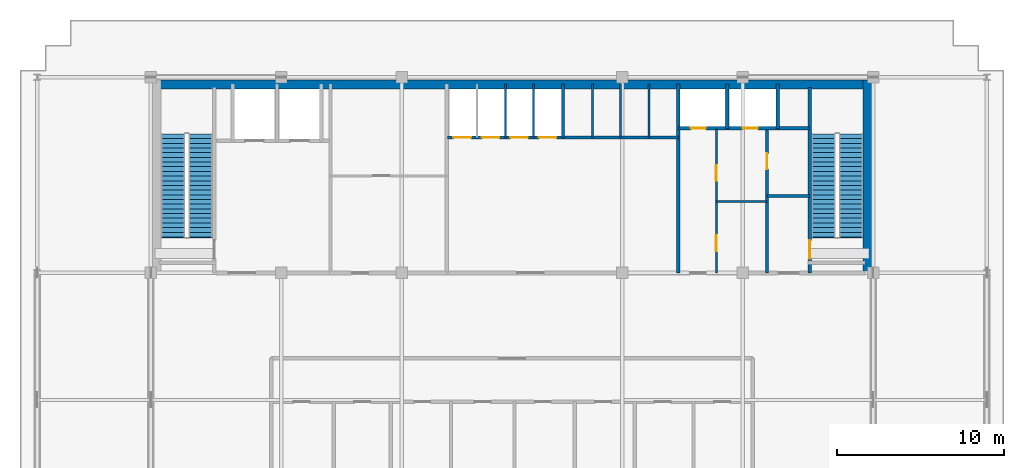
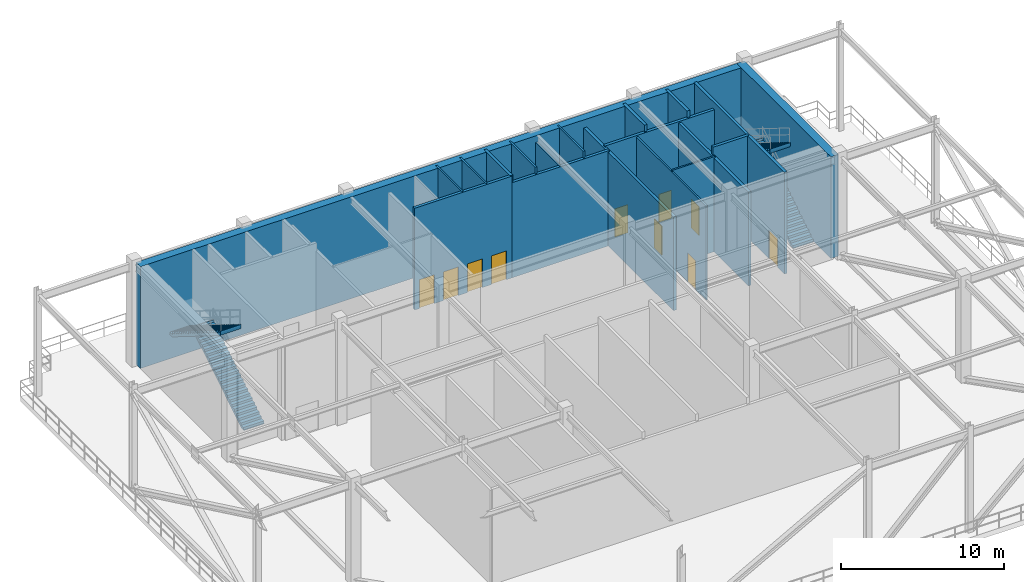
# One storey, part 10 of 14: 19 walls, 10 doors, 4 stair flights, 10 openings, 2 elements without a shape of their own.
"""IFC4 building model written with IfcOpenShell, lengths in metres."""

from ifc_helpers import new_model, si_unit, direction, frame, frame_2d, origin, place, context, subcontext, project, spatial, polyline, rectangle, outline, extrude, source, transform, mapped, material, layer, layer_set, type_object, element, fill, aggregate, save


model = new_model("IFC4")

# Units and contexts
model_context = context("Model", 3, precision=1e-05, world=origin(), true_north=direction((0.0, 1.0)))
body_context = subcontext(model_context, "Body", "Model", "MODEL_VIEW")
ifc_project = project(units=[si_unit("LENGTHUNIT", "METRE"), si_unit("AREAUNIT", "SQUARE_METRE"), si_unit("VOLUMEUNIT", "CUBIC_METRE"), si_unit("PLANEANGLEUNIT", "RADIAN"), si_unit("MASSUNIT", "GRAM", prefix="KILO")], contexts=[model_context])

# Site, building, storey
site_placement = place(None, origin())
site = spatial("IfcSite", under=ifc_project, at=site_placement, CompositionType="ELEMENT")
building_placement = place(site_placement, origin())
building = spatial("IfcBuilding", under=site, at=building_placement, Name="Trelvane Seafront Commons", CompositionType="ELEMENT")
storey_placement = place(building_placement, frame((0.0, 0.0, 182.5)))
storey = spatial("IfcBuildingStorey", under=building, at=storey_placement, Name="L48", CompositionType="ELEMENT", Elevation=182.5)

# Wall, opening, door
ifc_material_1 = material(Name="Concrete C40/50", Category="concrete")
ifc_layer_1 = layer(ifc_material_1, 0.199951171875, Name="ARCH-WALL-FIRE200")
ifc_layer_set_1 = layer_set([ifc_layer_1], Name="Concrete C40/50")
wall_type_1 = type_object("IfcWallType", Name="ARCH-WALL-FIRE200", PredefinedType="PARTITIONING", material=ifc_layer_set_1)
wall_1_placement = place(storey_placement, frame((52.449951171875, 33.39990234375, 0.0), z_axis=(0.0, 0.0, 1.0), x_axis=(0.0, 1.0, 0.0)))
wall_1 = element("IfcWall", 1, at=wall_1_placement, inside=storey, type_object=wall_type_1, Name="W-L48-ST2V-W-031", PredefinedType="PARTITIONING", context=body_context, shape_type="SweptSolid", body=[
    extrude(rectangle(XDim=8.650146484375, YDim=0.199951171875, at=frame_2d((4.3251953125, 0.0))), origin(), (0.0, 0.0, 1.0), 7.02001953125),
])
opening_1_placement = place(wall_1_placement, frame((6.199951171875, 0.0, 0.0)))
opening_1 = element("IfcOpeningElement", 2, at=opening_1_placement, cuts=wall_1, Name="Opening FD-L48-15", PredefinedType="OPENING", context=body_context, shape_type="SweptSolid", body=[
    extrude(rectangle(XDim=0.949951171875, YDim=2.14990234375, at=frame_2d((0.47509765625, 1.074951171875))), frame((0.0, 0.10986328125, 0.0), z_axis=(0.0, -1.0, 0.0), x_axis=(1.0, 0.0, 0.0)), (0.0, 0.0, 1.0), 0.219970703125),
])
ifc_material_2 = material(Name="Powder-coated aluminium frame", Category="aluminium")
door_type_1 = type_object("IfcDoorType", Name="ARCH-DR-FD60-950", OperationType="NOTDEFINED", PredefinedType="DOOR", material=ifc_material_2)
shared_shape_1 = source(origin(), body_context, "Body", "SweptSolid", [
    extrude(rectangle(XDim=0.949951171875, YDim=2.14990234375, at=frame_2d((0.47509765625, 1.074951171875))), frame((0.0, 0.02490234375, 0.0), z_axis=(0.0, -1.0, 0.0), x_axis=(1.0, 0.0, 0.0)), (0.0, 0.0, 1.0), 0.050048828125),
])
door_1_placement = place(opening_1_placement, origin())
door_1 = element("IfcDoor", 3, at=door_1_placement, inside=storey, type_object=door_type_1, Name="L48 Cleaner Store Door", OperationType="SINGLE_SWING_LEFT", OverallHeight=2.14990234375, OverallWidth=0.949951171875, PredefinedType="DOOR", context=body_context, shape_type="MappedRepresentation", body=[
    mapped(shared_shape_1, transform((0.0, 0.0, 0.0), x_axis=(1.0, 0.0, 0.0), y_axis=(0.0, 1.0, 0.0), z_axis=(0.0, 0.0, 1.0), scale=1.0)),
])
fill(opening_1, door_1)

# Walls
wall_2_placement = place(storey_placement, frame((52.449951171875, 38.0, 0.0), z_axis=(0.0, 0.0, 1.0), x_axis=(1.0, 0.0, 0.0)))
element("IfcWall", 4, at=wall_2_placement, inside=storey, type_object=wall_type_1, Name="W-L48-ST2V-N-032", PredefinedType="PARTITIONING", context=body_context, shape_type="SweptSolid", body=[
    extrude(rectangle(XDim=2.550048828125, YDim=0.199951171875, at=frame_2d((1.27490234375, 0.0))), origin(), (0.0, 0.0, 1.0), 7.6201171875),
])
ifc_material_3 = material(Name="Gypsum Drywall Acoustic Partition")
ifc_layer_2 = layer(ifc_material_3, 0.1201171875, Name="ARCH-WALL-PART120")
ifc_layer_set_2 = layer_set([ifc_layer_2], Name="Gypsum Drywall Acoustic Partition")
wall_type_2 = type_object("IfcWallType", Name="ARCH-WALL-PART120", PredefinedType="PARTITIONING", material=ifc_layer_set_2)
for number, where, z_axis, x_axis, name in (
    (5, (36.800048828125, 41.5, 0.0), (0.0, 0.0, 1.0), (0.0, 1.0, 0.0), "W-L48-PM-DIV2-018"),
    (6, (38.5, 41.5, 0.0), (0.0, 0.0, 1.0), (0.0, 1.0, 0.0), "W-L48-PM-DIV3-019"),
    (7, (42.0, 41.5, 0.0), (0.0, 0.0, 1.0), (0.0, 1.0, 0.0), "W-L48-PH-DIV1-022"),
):
    element("IfcWall", number, at=place(storey_placement, frame(where, z_axis=z_axis, x_axis=x_axis)), inside=storey, type_object=wall_type_2, Name=name, PredefinedType="PARTITIONING", context=body_context, shape_type="SweptSolid", body=[
        extrude(rectangle(XDim=3.199951171875, YDim=0.1201171875, at=frame_2d((1.60009765625, 0.0))), origin(), (0.0, 0.0, 1.0), 7.6201171875),
    ])
wall_3_placement = place(storey_placement, frame((43.699951171875, 41.5, 0.0), z_axis=(0.0, 0.0, 1.0), x_axis=(0.0, 1.0, 0.0)))
element("IfcWall", 8, at=wall_3_placement, inside=storey, type_object=wall_type_2, Name="W-L48-PH-DIV2-023", PredefinedType="PARTITIONING", context=body_context, shape_type="SweptSolid", body=[
    extrude(rectangle(XDim=3.199951171875, YDim=0.1201171875, at=frame_2d((1.60009765625, 0.0))), origin(), (0.0, 0.0, 1.0), 7.1201171875),
])
wall_4_placement = place(storey_placement, frame((45.39990234375, 41.5, 0.0), z_axis=(0.0, 0.0, 1.0), x_axis=(0.0, 1.0, 0.0)))
element("IfcWall", 9, at=wall_4_placement, inside=storey, type_object=wall_type_2, Name="W-L48-PH-DIV3-024", PredefinedType="PARTITIONING", context=body_context, shape_type="SweptSolid", body=[
    extrude(rectangle(XDim=3.199951171875, YDim=0.1201171875, at=frame_2d((1.60009765625, 0.0))), origin(), (0.0, 0.0, 1.0), 7.6201171875),
])

# Wall, openings, doors
wall_5_placement = place(storey_placement, frame((49.419921875, 33.39990234375, 0.0), z_axis=(0.0, 0.0, 1.0), x_axis=(0.0, 1.0, 0.0)))
wall_5 = element("IfcWall", 10, at=wall_5_placement, inside=storey, type_object=wall_type_2, Name="W-L48-CYC0-V-033", PredefinedType="PARTITIONING", context=body_context, shape_type="SweptSolid", body=[
    extrude(rectangle(XDim=8.60009765625, YDim=0.1201171875, at=frame_2d((4.300048828125, 0.0))), origin(), (0.0, 0.0, 1.0), 7.02001953125),
])
opening_2_placement = place(wall_5_placement, frame((1.300048828125, 0.0, 0.0)))
opening_2 = element("IfcOpeningElement", 11, at=opening_2_placement, cuts=wall_5, Name="Opening D-L48-16", PredefinedType="OPENING", context=body_context, shape_type="SweptSolid", body=[
    extrude(rectangle(XDim=0.949951171875, YDim=2.14990234375, at=frame_2d((0.47509765625, 1.074951171875))), frame((0.0, 0.070068359375, 0.0), z_axis=(0.0, -1.0, 0.0), x_axis=(1.0, 0.0, 0.0)), (0.0, 0.0, 1.0), 0.14013671875),
])
opening_3_placement = place(wall_5_placement, frame((5.5, 0.0, 0.0)))
opening_3 = element("IfcOpeningElement", 12, at=opening_3_placement, cuts=wall_5, Name="Opening D-L48-17", PredefinedType="OPENING", context=body_context, shape_type="SweptSolid", body=[
    extrude(rectangle(XDim=0.949951171875, YDim=2.14990234375, at=frame_2d((0.47509765625, 1.074951171875))), frame((0.0, 0.070068359375, 0.0), z_axis=(0.0, -1.0, 0.0), x_axis=(1.0, 0.0, 0.0)), (0.0, 0.0, 1.0), 0.14013671875),
])
ifc_material_4 = material(Name="Acoustic timber door leaf", Category="wood")
door_type_2 = type_object("IfcDoorType", Name="ARCH-DR-INT950", OperationType="NOTDEFINED", PredefinedType="DOOR", material=ifc_material_4)
door_2_placement = place(opening_2_placement, origin())
door_2 = element("IfcDoor", 13, at=door_2_placement, inside=storey, type_object=door_type_2, Name="L48 Accessible WC Door", OperationType="SINGLE_SWING_RIGHT", OverallHeight=2.14990234375, OverallWidth=0.949951171875, PredefinedType="DOOR", context=body_context, shape_type="MappedRepresentation", body=[
    mapped(shared_shape_1, transform((0.0, 0.0, 0.0), x_axis=(1.0, 0.0, 0.0), y_axis=(0.0, 1.0, 0.0), z_axis=(0.0, 0.0, 1.0), scale=1.0)),
])
fill(opening_2, door_2)
door_3_placement = place(opening_3_placement, origin())
door_3 = element("IfcDoor", 14, at=door_3_placement, inside=storey, type_object=door_type_2, Name="L48 Common WC Door", OperationType="SINGLE_SWING_LEFT", OverallHeight=2.14990234375, OverallWidth=0.949951171875, PredefinedType="DOOR", context=body_context, shape_type="MappedRepresentation", body=[
    mapped(shared_shape_1, transform((0.0, 0.0, 0.0), x_axis=(1.0, 0.0, 0.0), y_axis=(0.0, 1.0, 0.0), z_axis=(0.0, 0.0, 1.0), scale=1.0)),
])
fill(opening_3, door_3)

# Wall
wall_6_placement = place(storey_placement, frame((49.419921875, 37.679931640625, 0.0), z_axis=(0.0, 0.0, 1.0), x_axis=(1.0, 0.0, 0.0)))
element("IfcWall", 15, at=wall_6_placement, inside=storey, type_object=wall_type_2, Name="W-L48-CYC0-H-034", PredefinedType="PARTITIONING", context=body_context, shape_type="SweptSolid", body=[
    extrude(rectangle(XDim=3.030029296875, YDim=0.1201171875, at=frame_2d((1.51513671875, 0.0))), origin(), (0.0, 0.0, 1.0), 7.1201171875),
])

# Wall, openings, doors
ifc_layer_3 = layer(ifc_material_1, 0.199951171875, Name="ARCH-WALL-SHAFT200")
ifc_layer_set_3 = layer_set([ifc_layer_3], Name="Concrete C40/50")
wall_type_3 = type_object("IfcWallType", Name="ARCH-WALL-SHAFT200", PredefinedType="SOLIDWALL", material=ifc_layer_set_3)
wall_7_placement = place(storey_placement, frame((33.35009765625, 41.5, 0.0), z_axis=(0.0, 0.0, 1.0), x_axis=(1.0, 0.0, 0.0)))
wall_7 = element("IfcWall", 16, at=wall_7_placement, inside=storey, type_object=wall_type_3, Name="W-L48-PM-FRONT-016", PredefinedType="SOLIDWALL", context=body_context, shape_type="SweptSolid", body=[
    extrude(rectangle(XDim=6.89990234375, YDim=0.199951171875, at=frame_2d((3.449951171875, 0.0))), origin(), (0.0, 0.0, 1.0), 7.6201171875),
])
opening_4_placement = place(wall_7_placement, frame((0.35009765625, 0.0, 0.0)))
opening_4 = element("IfcOpeningElement", 17, at=opening_4_placement, cuts=wall_7, Name="Opening LD-PM1-L48", PredefinedType="OPENING", context=body_context, shape_type="SweptSolid", body=[
    extrude(rectangle(XDim=1.050048828125, YDim=2.14990234375, at=frame_2d((0.52490234375, 1.074951171875))), frame((0.0, 0.10986328125, 0.0), z_axis=(0.0, -1.0, 0.0), x_axis=(1.0, 0.0, 0.0)), (0.0, 0.0, 1.0), 0.219970703125),
])
opening_5_placement = place(wall_7_placement, frame((2.050048828125, 0.0, 0.0)))
opening_5 = element("IfcOpeningElement", 18, at=opening_5_placement, cuts=wall_7, Name="Opening LD-PM2-L48", PredefinedType="OPENING", context=body_context, shape_type="SweptSolid", body=[
    extrude(rectangle(XDim=1.050048828125, YDim=2.14990234375, at=frame_2d((0.52490234375, 1.074951171875))), frame((0.0, 0.10986328125, 0.0), z_axis=(0.0, -1.0, 0.0), x_axis=(1.0, 0.0, 0.0)), (0.0, 0.0, 1.0), 0.219970703125),
])
opening_6_placement = place(wall_7_placement, frame((3.75, 0.0, 0.0)))
opening_6 = element("IfcOpeningElement", 19, at=opening_6_placement, cuts=wall_7, Name="Opening LD-PM3-L48", PredefinedType="OPENING", context=body_context, shape_type="SweptSolid", body=[
    extrude(rectangle(XDim=1.050048828125, YDim=2.14990234375, at=frame_2d((0.52490234375, 1.074951171875))), frame((0.0, 0.10986328125, 0.0), z_axis=(0.0, -1.0, 0.0), x_axis=(1.0, 0.0, 0.0)), (0.0, 0.0, 1.0), 0.219970703125),
])
opening_7_placement = place(wall_7_placement, frame((5.449951171875, 0.0, 0.0)))
opening_7 = element("IfcOpeningElement", 20, at=opening_7_placement, cuts=wall_7, Name="Opening LD-PM4-L48", PredefinedType="OPENING", context=body_context, shape_type="SweptSolid", body=[
    extrude(rectangle(XDim=1.050048828125, YDim=2.14990234375, at=frame_2d((0.52490234375, 1.074951171875))), frame((0.0, 0.10986328125, 0.0), z_axis=(0.0, -1.0, 0.0), x_axis=(1.0, 0.0, 0.0)), (0.0, 0.0, 1.0), 0.219970703125),
])
ifc_material_5 = material(Name="Stainless steel balustrade", Category="steel")
door_type_3 = type_object("IfcDoorType", Name="ARCH-DR-LD1050", OperationType="DOUBLE_DOOR_SLIDING", PredefinedType="DOOR", material=ifc_material_5)
shared_shape_2 = source(origin(), body_context, "Body", "SweptSolid", [
    extrude(rectangle(XDim=1.050048828125, YDim=2.14990234375, at=frame_2d((0.52490234375, 1.074951171875))), frame((0.0, 0.02490234375, 0.0), z_axis=(0.0, -1.0, 0.0), x_axis=(1.0, 0.0, 0.0)), (0.0, 0.0, 1.0), 0.050048828125),
])
door_4_placement = place(opening_4_placement, origin())
door_4 = element("IfcDoor", 21, at=door_4_placement, inside=storey, type_object=door_type_3, Name="L48 Passenger Lift PM-1 Landing Door", OperationType="DOUBLE_DOOR_SLIDING", OverallHeight=2.14990234375, OverallWidth=1.050048828125, PredefinedType="DOOR", context=body_context, shape_type="MappedRepresentation", body=[
    mapped(shared_shape_2, transform((0.0, 0.0, 0.0), x_axis=(1.0, 0.0, 0.0), y_axis=(0.0, 1.0, 0.0), z_axis=(0.0, 0.0, 1.0), scale=1.0)),
])
fill(opening_4, door_4)
door_5_placement = place(opening_5_placement, origin())
door_5 = element("IfcDoor", 22, at=door_5_placement, inside=storey, type_object=door_type_3, Name="L48 Passenger Lift PM-2 Landing Door", OperationType="DOUBLE_DOOR_SLIDING", OverallHeight=2.14990234375, OverallWidth=1.050048828125, PredefinedType="DOOR", context=body_context, shape_type="MappedRepresentation", body=[
    mapped(shared_shape_2, transform((0.0, 0.0, 0.0), x_axis=(1.0, 0.0, 0.0), y_axis=(0.0, 1.0, 0.0), z_axis=(0.0, 0.0, 1.0), scale=1.0)),
])
fill(opening_5, door_5)
door_6_placement = place(opening_6_placement, origin())
door_6 = element("IfcDoor", 23, at=door_6_placement, inside=storey, type_object=door_type_3, Name="L48 Passenger Lift PM-3 Landing Door", OperationType="DOUBLE_DOOR_SLIDING", OverallHeight=2.14990234375, OverallWidth=1.050048828125, PredefinedType="DOOR", context=body_context, shape_type="MappedRepresentation", body=[
    mapped(shared_shape_2, transform((0.0, 0.0, 0.0), x_axis=(1.0, 0.0, 0.0), y_axis=(0.0, 1.0, 0.0), z_axis=(0.0, 0.0, 1.0), scale=1.0)),
])
fill(opening_6, door_6)
door_7_placement = place(opening_7_placement, origin())
door_7 = element("IfcDoor", 24, at=door_7_placement, inside=storey, type_object=door_type_3, Name="L48 Passenger Lift PM-4 Landing Door", OperationType="DOUBLE_DOOR_SLIDING", OverallHeight=2.14990234375, OverallWidth=1.050048828125, PredefinedType="DOOR", context=body_context, shape_type="MappedRepresentation", body=[
    mapped(shared_shape_2, transform((0.0, 0.0, 0.0), x_axis=(1.0, 0.0, 0.0), y_axis=(0.0, 1.0, 0.0), z_axis=(0.0, 0.0, 1.0), scale=1.0)),
])
fill(opening_7, door_7)

# Walls
wall_8_placement = place(storey_placement, frame((40.25, 41.5, 0.0), z_axis=(0.0, 0.0, 1.0), x_axis=(1.0, 0.0, 0.0)))
element("IfcWall", 25, at=wall_8_placement, inside=storey, type_object=wall_type_3, Name="W-L48-PH-FRONT-020", PredefinedType="SOLIDWALL", context=body_context, shape_type="SweptSolid", body=[
    extrude(rectangle(XDim=6.89990234375, YDim=0.199951171875, at=frame_2d((3.449951171875, 0.0))), origin(), (0.0, 0.0, 1.0), 7.1201171875),
])
wall_9_placement = place(storey_placement, frame((40.25, 41.5, 0.0), z_axis=(0.0, 0.0, 1.0), x_axis=(0.0, 1.0, 0.0)))
element("IfcWall", 26, at=wall_9_placement, inside=storey, type_object=wall_type_3, Name="W-L48-PH-WEST-SH-021", PredefinedType="SOLIDWALL", context=body_context, shape_type="SweptSolid", body=[
    extrude(rectangle(XDim=3.199951171875, YDim=0.199951171875, at=frame_2d((1.60009765625, 0.0))), origin(), (0.0, 0.0, 1.0), 7.6201171875),
])
wall_10_placement = place(storey_placement, frame((47.14990234375, 33.39990234375, 0.0), z_axis=(0.0, 0.0, 1.0), x_axis=(0.0, 1.0, 0.0)))
element("IfcWall", 27, at=wall_10_placement, inside=storey, type_object=wall_type_3, Name="W-L48-PH-EAST-025", PredefinedType="SOLIDWALL", context=body_context, shape_type="SweptSolid", body=[
    extrude(rectangle(XDim=11.300048828125, YDim=0.199951171875, at=frame_2d((5.64990234375, 0.0))), origin(), (0.0, 0.0, 1.0), 7.02001953125),
])

# Wall, openings, doors
wall_11_placement = place(storey_placement, frame((47.14990234375, 42.050048828125, 0.0), z_axis=(0.0, 0.0, 1.0), x_axis=(1.0, 0.0, 0.0)))
wall_11 = element("IfcWall", 28, at=wall_11_placement, inside=storey, type_object=wall_type_3, Name="W-L48-RSR-S-028", PredefinedType="SOLIDWALL", context=body_context, shape_type="SweptSolid", body=[
    extrude(rectangle(XDim=7.85009765625, YDim=0.199951171875, at=frame_2d((3.925048828125, 0.0))), origin(), (0.0, 0.0, 1.0), 7.1201171875),
])
opening_8_placement = place(wall_11_placement, frame((0.75, 0.0, 0.0)))
opening_8 = element("IfcOpeningElement", 29, at=opening_8_placement, cuts=wall_11, Name="Opening FD-L48-13", PredefinedType="OPENING", context=body_context, shape_type="SweptSolid", body=[
    extrude(rectangle(XDim=0.89990234375, YDim=2.10009765625, at=frame_2d((0.449951171875, 1.050048828125))), frame((0.0, 0.10986328125, 0.0), z_axis=(0.0, -1.0, 0.0), x_axis=(1.0, 0.0, 0.0)), (0.0, 0.0, 1.0), 0.219970703125),
])
opening_9_placement = place(wall_11_placement, frame((3.85009765625, 0.0, 0.0)))
opening_9 = element("IfcOpeningElement", 30, at=opening_9_placement, cuts=wall_11, Name="Opening FD-L48-14", PredefinedType="OPENING", context=body_context, shape_type="SweptSolid", body=[
    extrude(rectangle(XDim=0.89990234375, YDim=2.10009765625, at=frame_2d((0.449951171875, 1.050048828125))), frame((0.0, 0.10986328125, 0.0), z_axis=(0.0, -1.0, 0.0), x_axis=(1.0, 0.0, 0.0)), (0.0, 0.0, 1.0), 0.219970703125),
])
door_type_4 = type_object("IfcDoorType", Name="ARCH-DR-FD60-900", OperationType="NOTDEFINED", PredefinedType="DOOR", material=ifc_material_2)
shared_shape_3 = source(origin(), body_context, "Body", "SweptSolid", [
    extrude(rectangle(XDim=0.89990234375, YDim=2.10009765625, at=frame_2d((0.449951171875, 1.050048828125))), frame((0.0, 0.02490234375, 0.0), z_axis=(0.0, -1.0, 0.0), x_axis=(1.0, 0.0, 0.0)), (0.0, 0.0, 1.0), 0.050048828125),
])
door_8_placement = place(opening_8_placement, origin())
door_8 = element("IfcDoor", 31, at=door_8_placement, inside=storey, type_object=door_type_4, Name="L48 Electrical Riser Access Door", OperationType="SINGLE_SWING_LEFT", OverallHeight=2.10009765625, OverallWidth=0.89990234375, PredefinedType="DOOR", context=body_context, shape_type="MappedRepresentation", body=[
    mapped(shared_shape_3, transform((0.0, 0.0, 0.0), x_axis=(1.0, 0.0, 0.0), y_axis=(0.0, 1.0, 0.0), z_axis=(0.0, 0.0, 1.0), scale=1.0)),
])
fill(opening_8, door_8)
door_9_placement = place(opening_9_placement, origin())
door_9 = element("IfcDoor", 32, at=door_9_placement, inside=storey, type_object=door_type_4, Name="L48 Mechanical Riser Access Door", OperationType="SINGLE_SWING_RIGHT", OverallHeight=2.10009765625, OverallWidth=0.89990234375, PredefinedType="DOOR", context=body_context, shape_type="MappedRepresentation", body=[
    mapped(shared_shape_3, transform((0.0, 0.0, 0.0), x_axis=(1.0, 0.0, 0.0), y_axis=(0.0, 1.0, 0.0), z_axis=(0.0, 0.0, 1.0), scale=1.0)),
])
fill(opening_9, door_9)

# Walls
for number, where, z_axis, x_axis, name in (
    (33, (50.080078125, 42.050048828125, 0.0), (0.0, 0.0, 1.0), (0.0, 1.0, 0.0), "W-L48-RSR-DIV-029"),
    (34, (53.10009765625, 42.050048828125, 0.0), (0.0, 0.0, 1.0), (0.0, 1.0, 0.0), "W-L48-RSR-E-030"),
):
    element("IfcWall", number, at=place(storey_placement, frame(where, z_axis=z_axis, x_axis=x_axis)), inside=storey, type_object=wall_type_3, Name=name, PredefinedType="SOLIDWALL", context=body_context, shape_type="SweptSolid", body=[
        extrude(rectangle(XDim=2.64990234375, YDim=0.199951171875, at=frame_2d((1.324951171875, 0.0))), origin(), (0.0, 0.0, 1.0), 7.6201171875),
    ])
ifc_material_6 = material(Name="Concrete C50/60", Category="concrete")
ifc_layer_4 = layer(ifc_material_6, 0.550048828125, Name="STR-WALL-CORE550")
ifc_layer_set_4 = layer_set([ifc_layer_4], Name="Concrete C50/60")
wall_type_4 = type_object("IfcWallType", Name="STR-WALL-CORE550", PredefinedType="SHEAR", material=ifc_layer_set_4)
wall_12_placement = place(storey_placement, frame((15.64990234375, 44.675048828125, 0.0), z_axis=(0.0, 0.0, 1.0), x_axis=(1.0, 0.0, 0.0)))
element("IfcWall", 35, at=wall_12_placement, inside=storey, type_object=wall_type_4, Name="W-L48-CN-ALL-001", PredefinedType="SHEAR", context=body_context, shape_type="SweptSolid", body=[
    extrude(rectangle(XDim=43.10009765625, YDim=0.550048828125, at=frame_2d((21.550048828125, 0.0))), origin(), (0.0, 0.0, 1.0), 7.6201171875),
])
wall_13_placement = place(storey_placement, frame((58.47509765625, 33.39990234375, 0.0), z_axis=(0.0, 0.0, 1.0), x_axis=(0.0, 1.0, 0.0)))
element("IfcWall", 36, at=wall_13_placement, inside=storey, type_object=wall_type_4, Name="W-L48-CE-END-003", PredefinedType="SHEAR", context=body_context, shape_type="SweptSolid", body=[
    extrude(rectangle(XDim=11.550048828125, YDim=0.550048828125, at=frame_2d((5.77490234375, 0.0))), origin(), (0.0, 0.0, 1.0), 7.6201171875),
])

# Wall, opening, door
ifc_layer_5 = layer(ifc_material_6, 0.199951171875, Name="STR-WALL-STAIR200")
ifc_layer_set_5 = layer_set([ifc_layer_5], Name="Concrete C50/60")
wall_type_5 = type_object("IfcWallType", Name="STR-WALL-STAIR200", PredefinedType="SHEAR", material=ifc_layer_set_5)
wall_14_placement = place(storey_placement, frame((55.0, 33.39990234375, 0.0), z_axis=(0.0, 0.0, 1.0), x_axis=(0.0, 1.0, 0.0)))
wall_14 = element("IfcWall", 37, at=wall_14_placement, inside=storey, type_object=wall_type_5, Name="W-L48-ST2-W-007", PredefinedType="SHEAR", context=body_context, shape_type="SweptSolid", body=[
    extrude(rectangle(XDim=11.10009765625, YDim=0.199951171875, at=frame_2d((5.550048828125, 0.0))), origin(), (0.0, 0.0, 1.0), 7.6201171875),
])
opening_10_placement = place(wall_14_placement, frame((0.85009765625, 0.0, 0.0)))
opening_10 = element("IfcOpeningElement", 38, at=opening_10_placement, cuts=wall_14, Name="Opening ST-D2-L48", PredefinedType="OPENING", context=body_context, shape_type="SweptSolid", body=[
    extrude(rectangle(XDim=1.10009765625, YDim=2.14990234375, at=frame_2d((0.550048828125, 1.074951171875))), frame((0.0, 0.10986328125, 0.0), z_axis=(0.0, -1.0, 0.0), x_axis=(1.0, 0.0, 0.0)), (0.0, 0.0, 1.0), 0.219970703125),
])
door_type_5 = type_object("IfcDoorType", Name="ARCH-DR-FD90-1100", OperationType="NOTDEFINED", PredefinedType="DOOR", material=ifc_material_2)
shared_shape_4 = source(origin(), body_context, "Body", "SweptSolid", [
    extrude(rectangle(XDim=1.10009765625, YDim=2.14990234375, at=frame_2d((0.550048828125, 1.074951171875))), frame((0.0, 0.02490234375, 0.0), z_axis=(0.0, -1.0, 0.0), x_axis=(1.0, 0.0, 0.0)), (0.0, 0.0, 1.0), 0.050048828125),
])
door_10_placement = place(opening_10_placement, origin())
door_10 = element("IfcDoor", 39, at=door_10_placement, inside=storey, type_object=door_type_5, Name="L48 Stair ST-2 Vestibule Fire Door", OperationType="SINGLE_SWING_RIGHT", OverallHeight=2.14990234375, OverallWidth=1.10009765625, PredefinedType="DOOR", context=body_context, shape_type="MappedRepresentation", body=[
    mapped(shared_shape_4, transform((0.0, 0.0, 0.0), x_axis=(1.0, 0.0, 0.0), y_axis=(0.0, 1.0, 0.0), z_axis=(0.0, 0.0, 1.0), scale=1.0)),
])
fill(opening_10, door_10)

# Stair, stair flights
stair_type_1 = type_object("IfcStairType", Name="ARCH-STR-ST-1-R46-174", PredefinedType="HALF_TURN_STAIR", material=ifc_material_1)
stair_1_placement = place(storey_placement, origin())
stair_1 = element("IfcStair", 40, at=stair_1_placement, inside=storey, type_object=stair_type_1, Name="L48 West Protected Firefighting Exit Stair ST-1", PredefinedType="HALF_TURN_STAIR")
stair_flight_type_1 = type_object("IfcStairFlightType", Name="ARCH-FLG-ST-1-R46-174", PredefinedType="STRAIGHT", material=ifc_material_1)
shared_shape_5 = source(origin(), body_context, "Body", "SweptSolid", [
    extrude(outline(polyline([(-0.050048828125, -0.02001953125), (-0.050048828125, 0.0), (0.0, 0.0), (0.0, 0.173828125), (0.280029296875, 0.173828125), (0.280029296875, 0.347900390625), (0.56005859375, 0.347900390625), (0.56005859375, 0.521728515625), (0.840087890625, 0.521728515625), (0.840087890625, 0.695556640625), (1.1201171875, 0.695556640625), (1.1201171875, 0.86962890625), (1.39990234375, 0.86962890625), (1.39990234375, 1.04345703125), (1.679931640625, 1.04345703125), (1.679931640625, 1.21728515625), (1.9599609375, 1.21728515625), (1.9599609375, 1.391357421875), (2.239990234375, 1.391357421875), (2.239990234375, 1.565185546875), (2.52001953125, 1.565185546875), (2.52001953125, 1.739013671875), (2.800048828125, 1.739013671875), (2.800048828125, 1.9130859375), (3.080078125, 1.9130859375), (3.080078125, 2.0869140625), (3.360107421875, 2.0869140625), (3.360107421875, 2.260986328125), (3.639892578125, 2.260986328125), (3.639892578125, 2.434814453125), (3.919921875, 2.434814453125), (3.919921875, 2.608642578125), (4.199951171875, 2.608642578125), (4.199951171875, 2.78271484375), (4.47998046875, 2.78271484375), (4.47998046875, 2.95654296875), (4.760009765625, 2.95654296875), (4.760009765625, 3.13037109375), (5.0400390625, 3.13037109375), (5.0400390625, 3.304443359375), (5.320068359375, 3.304443359375), (5.320068359375, 3.478271484375), (5.60009765625, 3.478271484375), (5.60009765625, 3.652099609375), (5.8798828125, 3.652099609375), (5.8798828125, 3.826171875), (6.159912109375, 3.826171875), (6.159912109375, 4.0), (6.2099609375, 4.0), (6.2099609375, 3.85009765625), (6.159912109375, 3.649658203125), (0.2841796875, -0.02001953125), (-0.050048828125, -0.02001953125)])), frame((0.0, 0.72509765625, 0.0), z_axis=(0.0, -1.0, 0.0), x_axis=(1.0, 0.0, 0.0)), (0.0, 0.0, 1.0), 1.449951171875),
])
stair_flight_1_placement = place(storey_placement, frame((18.574951171875, 35.550048828125, 0.0), z_axis=(0.0, 0.0, 1.0), x_axis=(0.0, 1.0, 0.0)))
stair_flight_1 = element("IfcStairFlight", 41, at=stair_flight_1_placement, type_object=stair_flight_type_1, Name="ST-1 flight 1", NumberOfRisers=23, NumberOfTreads=22, PredefinedType="STRAIGHT", RiserHeight=0.173913043, TreadLength=0.28, context=body_context, shape_type="MappedRepresentation", body=[
    mapped(shared_shape_5, transform((0.0, 0.0, 0.0), x_axis=(1.0, 0.0, 0.0), y_axis=(0.0, 1.0, 0.0), z_axis=(0.0, 0.0, 1.0), scale=1.0)),
])
stair_flight_2_placement = place(storey_placement, frame((16.925048828125, 41.7099609375, 4.0), z_axis=(0.0, 0.0, 1.0), x_axis=(0.0, -1.0, 0.0)))
stair_flight_2 = element("IfcStairFlight", 42, at=stair_flight_2_placement, type_object=stair_flight_type_1, Name="ST-1 flight 2", NumberOfRisers=23, NumberOfTreads=22, PredefinedType="STRAIGHT", RiserHeight=0.173913043, TreadLength=0.28, context=body_context, shape_type="MappedRepresentation", body=[
    mapped(shared_shape_5, transform((0.0, 0.0, 0.0), x_axis=(1.0, 0.0, 0.0), y_axis=(0.0, 1.0, 0.0), z_axis=(0.0, 0.0, 1.0), scale=1.0)),
])
aggregate(stair_1, [stair_flight_1, stair_flight_2])

stair_type_2 = type_object("IfcStairType", Name="ARCH-STR-ST-2-R46-174", PredefinedType="HALF_TURN_STAIR", material=ifc_material_1)
stair_2_placement = place(storey_placement, origin())
stair_2 = element("IfcStair", 43, at=stair_2_placement, inside=storey, type_object=stair_type_2, Name="L48 East Protected Firefighting Exit Stair ST-2", PredefinedType="HALF_TURN_STAIR")
stair_flight_type_2 = type_object("IfcStairFlightType", Name="ARCH-FLG-ST-2-R46-174", PredefinedType="STRAIGHT", material=ifc_material_1)
stair_flight_3_placement = place(storey_placement, frame((57.47509765625, 35.550048828125, 0.0), z_axis=(0.0, 0.0, 1.0), x_axis=(0.0, 1.0, 0.0)))
stair_flight_3 = element("IfcStairFlight", 44, at=stair_flight_3_placement, type_object=stair_flight_type_2, Name="ST-2 flight 1", NumberOfRisers=23, NumberOfTreads=22, PredefinedType="STRAIGHT", RiserHeight=0.173913043, TreadLength=0.28, context=body_context, shape_type="MappedRepresentation", body=[
    mapped(shared_shape_5, transform((0.0, 0.0, 0.0), x_axis=(1.0, 0.0, 0.0), y_axis=(0.0, 1.0, 0.0), z_axis=(0.0, 0.0, 1.0), scale=1.0)),
])
stair_flight_4_placement = place(storey_placement, frame((55.824951171875, 41.7099609375, 4.0), z_axis=(0.0, 0.0, 1.0), x_axis=(0.0, -1.0, 0.0)))
stair_flight_4 = element("IfcStairFlight", 45, at=stair_flight_4_placement, type_object=stair_flight_type_2, Name="ST-2 flight 2", NumberOfRisers=23, NumberOfTreads=22, PredefinedType="STRAIGHT", RiserHeight=0.173913043, TreadLength=0.28, context=body_context, shape_type="MappedRepresentation", body=[
    mapped(shared_shape_5, transform((0.0, 0.0, 0.0), x_axis=(1.0, 0.0, 0.0), y_axis=(0.0, 1.0, 0.0), z_axis=(0.0, 0.0, 1.0), scale=1.0)),
])
aggregate(stair_2, [stair_flight_3, stair_flight_4])

save(model, "model.ifc")
